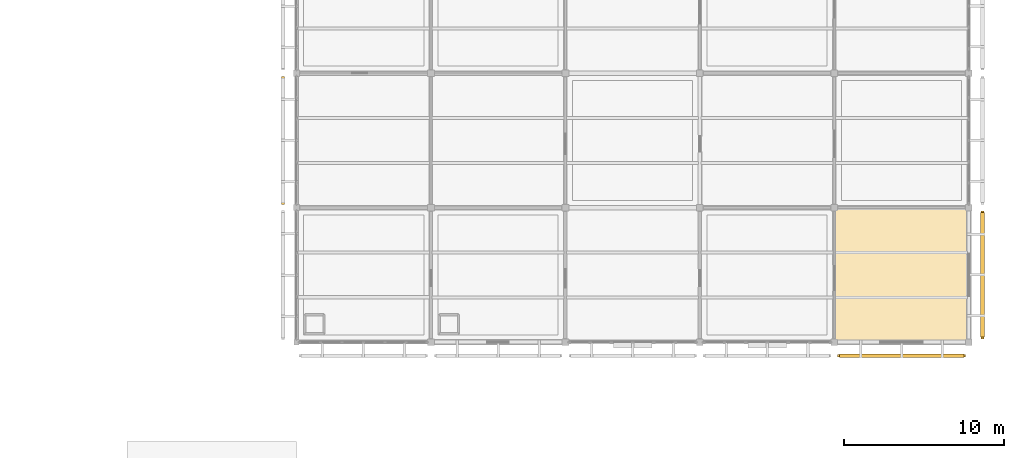
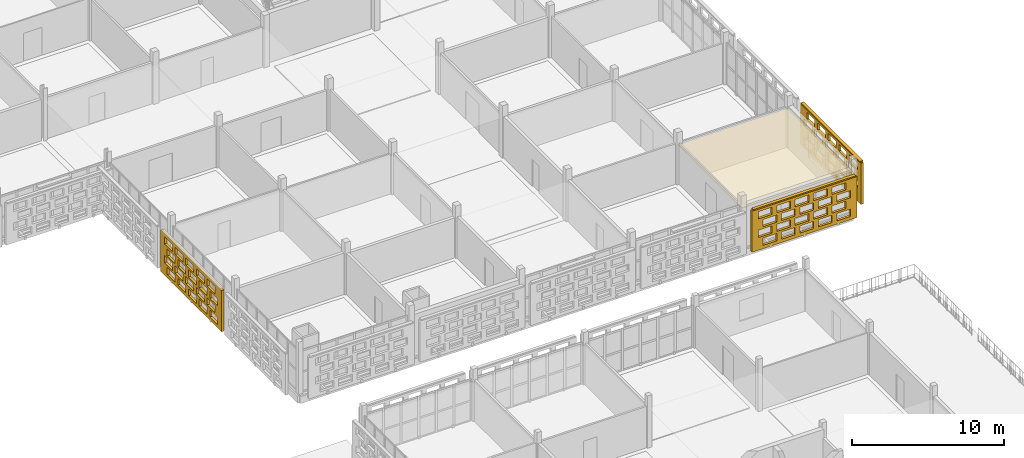
# One storey, part 159 of 166: 4 coverings, 2 shading devices, 60 openings.
"""IFC4 building model written with IfcOpenShell, lengths in metres."""

from ifc_helpers import new_model, si_unit, direction, frame, frame_2d, origin, origin_2d, place, context, subcontext, project, spatial, rectangle, extrude, material, layer, layer_set, type_object, element, save


model = new_model("IFC4")

# Units and contexts
model_context = context("Model", 3, precision=1e-05, world=origin(), true_north=direction((0.0, 1.0)))
body_context = subcontext(model_context, "Body", "Model", "MODEL_VIEW")
ifc_project = project(units=[si_unit("LENGTHUNIT", "METRE"), si_unit("AREAUNIT", "SQUARE_METRE"), si_unit("VOLUMEUNIT", "CUBIC_METRE"), si_unit("PLANEANGLEUNIT", "RADIAN"), si_unit("MASSUNIT", "GRAM", prefix="KILO")], contexts=[model_context])

# Site, building, storey
site_placement = place(None, origin())
site = spatial("IfcSite", under=ifc_project, at=site_placement, CompositionType="ELEMENT")
building_placement = place(site_placement, origin())
building = spatial("IfcBuilding", under=site, at=building_placement, Name="Varnapada Polytechnic", CompositionType="ELEMENT")
storey_placement = place(building_placement, frame((0.0, 0.0, 9.60009765625)))
storey = spatial("IfcBuildingStorey", under=building, at=storey_placement, Name="L02", CompositionType="ELEMENT", Elevation=9.60009765625)

# Covering
ifc_material_1 = material(Name="Micro-Perforated Gypsum Acoustic Ceiling")
ifc_layer_1 = layer(ifc_material_1, 0.044921875)
ifc_layer_set_1 = layer_set([ifc_layer_1], Name="Micro-Perforated Gypsum Acoustic Ceiling")
covering_type_1 = type_object("IfcCoveringType", Name="Suspended Ceiling CLG-04", PredefinedType="CEILING", material=ifc_layer_set_1)
covering_1_placement = place(storey_placement, frame((172.199951171875, 63.0, 3.02734375), z_axis=(0.0, 0.0, 1.0), x_axis=(1.0, 0.0, 0.0)))
element("IfcCovering", 1, at=covering_1_placement, inside=storey, type_object=covering_type_1, Name="L02 suspended acoustic ceiling (21,8)", PredefinedType="CEILING", context=body_context, shape_type="SweptSolid", body=[
    extrude(rectangle(XDim=8.419921875, YDim=8.419921875, at=origin_2d()), origin(), (0.0, 0.0, 1.0), 0.044921875),
])

# Covering, openings
ifc_material_2 = material(Name="Earth-toned architectural terracotta screen block", Category="masonry")
ifc_layer_2 = layer(ifc_material_2, 0.1201171875)
ifc_layer_set_2 = layer_set([ifc_layer_2], Name="Earth-toned architectural terracotta screen block")
covering_type_2 = type_object("IfcCoveringType", Name="Terracotta Screen Cladding CLD-01", PredefinedType="CLADDING", material=ifc_layer_set_2)
covering_2_placement = place(storey_placement, frame((133.550048828125, 67.389892578125, 0.0), z_axis=(0.0, 0.0, 1.0), x_axis=(0.0, 1.0, 0.0)))
covering_2 = element("IfcCovering", 2, at=covering_2_placement, inside=storey, type_object=covering_type_2, Name="L02 perforated terracotta block screen (88)", PredefinedType="CLADDING", context=body_context, shape_type="SweptSolid", body=[
    extrude(rectangle(XDim=8.02001953125, YDim=0.179931640625, at=frame_2d((4.010009765625, 0.0))), origin(), (0.0, 0.0, 1.0), 3.31982421875),
])
opening_1_placement = place(covering_2_placement, frame((0.510009765625, 0.0, 0.265625)))
element("IfcOpeningElement", 3, at=opening_1_placement, cuts=covering_2, Name="Screen perforation TBS-L02-087.1", PredefinedType="OPENING", context=body_context, shape_type="SweptSolid", body=[
    extrude(rectangle(XDim=1.0400390625, YDim=0.5810546875, at=frame_2d((0.52001953125, 0.29052734375))), frame((0.0, 0.099853515625, 0.0), z_axis=(0.0, -1.0, 0.0), x_axis=(1.0, 0.0, 0.0)), (0.0, 0.0, 1.0), 0.199951171875),
])
opening_2_placement = place(covering_2_placement, frame((1.909912109375, 0.0, 0.265625)))
element("IfcOpeningElement", 4, at=opening_2_placement, cuts=covering_2, Name="Screen perforation TBS-L02-087.2", PredefinedType="OPENING", context=body_context, shape_type="SweptSolid", body=[
    extrude(rectangle(XDim=1.0400390625, YDim=0.5810546875, at=frame_2d((0.52001953125, 0.29052734375))), frame((0.0, 0.099853515625, 0.0), z_axis=(0.0, -1.0, 0.0), x_axis=(1.0, 0.0, 0.0)), (0.0, 0.0, 1.0), 0.199951171875),
])
opening_3_placement = place(covering_2_placement, frame((3.31005859375, 0.0, 0.265625)))
element("IfcOpeningElement", 5, at=opening_3_placement, cuts=covering_2, Name="Screen perforation TBS-L02-087.3", PredefinedType="OPENING", context=body_context, shape_type="SweptSolid", body=[
    extrude(rectangle(XDim=1.0400390625, YDim=0.5810546875, at=frame_2d((0.52001953125, 0.29052734375))), frame((0.0, 0.099853515625, 0.0), z_axis=(0.0, -1.0, 0.0), x_axis=(1.0, 0.0, 0.0)), (0.0, 0.0, 1.0), 0.199951171875),
])
opening_4_placement = place(covering_2_placement, frame((4.7099609375, 0.0, 0.265625)))
element("IfcOpeningElement", 6, at=opening_4_placement, cuts=covering_2, Name="Screen perforation TBS-L02-087.4", PredefinedType="OPENING", context=body_context, shape_type="SweptSolid", body=[
    extrude(rectangle(XDim=1.0400390625, YDim=0.5810546875, at=frame_2d((0.52001953125, 0.29052734375))), frame((0.0, 0.099853515625, 0.0), z_axis=(0.0, -1.0, 0.0), x_axis=(1.0, 0.0, 0.0)), (0.0, 0.0, 1.0), 0.199951171875),
])
opening_5_placement = place(covering_2_placement, frame((6.110107421875, 0.0, 0.265625)))
element("IfcOpeningElement", 7, at=opening_5_placement, cuts=covering_2, Name="Screen perforation TBS-L02-087.5", PredefinedType="OPENING", context=body_context, shape_type="SweptSolid", body=[
    extrude(rectangle(XDim=1.0400390625, YDim=0.5810546875, at=frame_2d((0.52001953125, 0.29052734375))), frame((0.0, 0.099853515625, 0.0), z_axis=(0.0, -1.0, 0.0), x_axis=(1.0, 0.0, 0.0)), (0.0, 0.0, 1.0), 0.199951171875),
])
opening_6_placement = place(covering_2_placement, frame((0.8701171875, 0.0, 1.0126953125)))
element("IfcOpeningElement", 8, at=opening_6_placement, cuts=covering_2, Name="Screen perforation TBS-L02-087.6", PredefinedType="OPENING", context=body_context, shape_type="SweptSolid", body=[
    extrude(rectangle(XDim=1.0400390625, YDim=0.5810546875, at=frame_2d((0.52001953125, 0.29052734375))), frame((0.0, 0.099853515625, 0.0), z_axis=(0.0, -1.0, 0.0), x_axis=(1.0, 0.0, 0.0)), (0.0, 0.0, 1.0), 0.199951171875),
])
opening_7_placement = place(covering_2_placement, frame((2.27001953125, 0.0, 1.0126953125)))
element("IfcOpeningElement", 9, at=opening_7_placement, cuts=covering_2, Name="Screen perforation TBS-L02-087.7", PredefinedType="OPENING", context=body_context, shape_type="SweptSolid", body=[
    extrude(rectangle(XDim=1.0400390625, YDim=0.5810546875, at=frame_2d((0.52001953125, 0.29052734375))), frame((0.0, 0.099853515625, 0.0), z_axis=(0.0, -1.0, 0.0), x_axis=(1.0, 0.0, 0.0)), (0.0, 0.0, 1.0), 0.199951171875),
])
opening_8_placement = place(covering_2_placement, frame((3.669921875, 0.0, 1.0126953125)))
element("IfcOpeningElement", 10, at=opening_8_placement, cuts=covering_2, Name="Screen perforation TBS-L02-087.8", PredefinedType="OPENING", context=body_context, shape_type="SweptSolid", body=[
    extrude(rectangle(XDim=1.0400390625, YDim=0.5810546875, at=frame_2d((0.52001953125, 0.29052734375))), frame((0.0, 0.099853515625, 0.0), z_axis=(0.0, -1.0, 0.0), x_axis=(1.0, 0.0, 0.0)), (0.0, 0.0, 1.0), 0.199951171875),
])
opening_9_placement = place(covering_2_placement, frame((5.070068359375, 0.0, 1.0126953125)))
element("IfcOpeningElement", 11, at=opening_9_placement, cuts=covering_2, Name="Screen perforation TBS-L02-087.9", PredefinedType="OPENING", context=body_context, shape_type="SweptSolid", body=[
    extrude(rectangle(XDim=1.0400390625, YDim=0.5810546875, at=frame_2d((0.52001953125, 0.29052734375))), frame((0.0, 0.099853515625, 0.0), z_axis=(0.0, -1.0, 0.0), x_axis=(1.0, 0.0, 0.0)), (0.0, 0.0, 1.0), 0.199951171875),
])
opening_10_placement = place(covering_2_placement, frame((6.469970703125, 0.0, 1.0126953125)))
element("IfcOpeningElement", 12, at=opening_10_placement, cuts=covering_2, Name="Screen perforation TBS-L02-087.10", PredefinedType="OPENING", context=body_context, shape_type="SweptSolid", body=[
    extrude(rectangle(XDim=1.0400390625, YDim=0.5810546875, at=frame_2d((0.52001953125, 0.29052734375))), frame((0.0, 0.099853515625, 0.0), z_axis=(0.0, -1.0, 0.0), x_axis=(1.0, 0.0, 0.0)), (0.0, 0.0, 1.0), 0.199951171875),
])
opening_11_placement = place(covering_2_placement, frame((0.510009765625, 0.0, 1.759521484375)))
element("IfcOpeningElement", 13, at=opening_11_placement, cuts=covering_2, Name="Screen perforation TBS-L02-087.11", PredefinedType="OPENING", context=body_context, shape_type="SweptSolid", body=[
    extrude(rectangle(XDim=1.0400390625, YDim=0.5810546875, at=frame_2d((0.52001953125, 0.29052734375))), frame((0.0, 0.099853515625, 0.0), z_axis=(0.0, -1.0, 0.0), x_axis=(1.0, 0.0, 0.0)), (0.0, 0.0, 1.0), 0.199951171875),
])
opening_12_placement = place(covering_2_placement, frame((1.909912109375, 0.0, 1.759521484375)))
element("IfcOpeningElement", 14, at=opening_12_placement, cuts=covering_2, Name="Screen perforation TBS-L02-087.12", PredefinedType="OPENING", context=body_context, shape_type="SweptSolid", body=[
    extrude(rectangle(XDim=1.0400390625, YDim=0.5810546875, at=frame_2d((0.52001953125, 0.29052734375))), frame((0.0, 0.099853515625, 0.0), z_axis=(0.0, -1.0, 0.0), x_axis=(1.0, 0.0, 0.0)), (0.0, 0.0, 1.0), 0.199951171875),
])
opening_13_placement = place(covering_2_placement, frame((3.31005859375, 0.0, 1.759521484375)))
element("IfcOpeningElement", 15, at=opening_13_placement, cuts=covering_2, Name="Screen perforation TBS-L02-087.13", PredefinedType="OPENING", context=body_context, shape_type="SweptSolid", body=[
    extrude(rectangle(XDim=1.0400390625, YDim=0.5810546875, at=frame_2d((0.52001953125, 0.29052734375))), frame((0.0, 0.099853515625, 0.0), z_axis=(0.0, -1.0, 0.0), x_axis=(1.0, 0.0, 0.0)), (0.0, 0.0, 1.0), 0.199951171875),
])
opening_14_placement = place(covering_2_placement, frame((4.7099609375, 0.0, 1.759521484375)))
element("IfcOpeningElement", 16, at=opening_14_placement, cuts=covering_2, Name="Screen perforation TBS-L02-087.14", PredefinedType="OPENING", context=body_context, shape_type="SweptSolid", body=[
    extrude(rectangle(XDim=1.0400390625, YDim=0.5810546875, at=frame_2d((0.52001953125, 0.29052734375))), frame((0.0, 0.099853515625, 0.0), z_axis=(0.0, -1.0, 0.0), x_axis=(1.0, 0.0, 0.0)), (0.0, 0.0, 1.0), 0.199951171875),
])
opening_15_placement = place(covering_2_placement, frame((6.110107421875, 0.0, 1.759521484375)))
element("IfcOpeningElement", 17, at=opening_15_placement, cuts=covering_2, Name="Screen perforation TBS-L02-087.15", PredefinedType="OPENING", context=body_context, shape_type="SweptSolid", body=[
    extrude(rectangle(XDim=1.0400390625, YDim=0.5810546875, at=frame_2d((0.52001953125, 0.29052734375))), frame((0.0, 0.099853515625, 0.0), z_axis=(0.0, -1.0, 0.0), x_axis=(1.0, 0.0, 0.0)), (0.0, 0.0, 1.0), 0.199951171875),
])
opening_16_placement = place(covering_2_placement, frame((0.8701171875, 0.0, 2.506591796875)))
element("IfcOpeningElement", 18, at=opening_16_placement, cuts=covering_2, Name="Screen perforation TBS-L02-087.16", PredefinedType="OPENING", context=body_context, shape_type="SweptSolid", body=[
    extrude(rectangle(XDim=1.0400390625, YDim=0.5810546875, at=frame_2d((0.52001953125, 0.29052734375))), frame((0.0, 0.099853515625, 0.0), z_axis=(0.0, -1.0, 0.0), x_axis=(1.0, 0.0, 0.0)), (0.0, 0.0, 1.0), 0.199951171875),
])
opening_17_placement = place(covering_2_placement, frame((2.27001953125, 0.0, 2.506591796875)))
element("IfcOpeningElement", 19, at=opening_17_placement, cuts=covering_2, Name="Screen perforation TBS-L02-087.17", PredefinedType="OPENING", context=body_context, shape_type="SweptSolid", body=[
    extrude(rectangle(XDim=1.0400390625, YDim=0.5810546875, at=frame_2d((0.52001953125, 0.29052734375))), frame((0.0, 0.099853515625, 0.0), z_axis=(0.0, -1.0, 0.0), x_axis=(1.0, 0.0, 0.0)), (0.0, 0.0, 1.0), 0.199951171875),
])
opening_18_placement = place(covering_2_placement, frame((3.669921875, 0.0, 2.506591796875)))
element("IfcOpeningElement", 20, at=opening_18_placement, cuts=covering_2, Name="Screen perforation TBS-L02-087.18", PredefinedType="OPENING", context=body_context, shape_type="SweptSolid", body=[
    extrude(rectangle(XDim=1.0400390625, YDim=0.5810546875, at=frame_2d((0.52001953125, 0.29052734375))), frame((0.0, 0.099853515625, 0.0), z_axis=(0.0, -1.0, 0.0), x_axis=(1.0, 0.0, 0.0)), (0.0, 0.0, 1.0), 0.199951171875),
])
opening_19_placement = place(covering_2_placement, frame((5.070068359375, 0.0, 2.506591796875)))
element("IfcOpeningElement", 21, at=opening_19_placement, cuts=covering_2, Name="Screen perforation TBS-L02-087.19", PredefinedType="OPENING", context=body_context, shape_type="SweptSolid", body=[
    extrude(rectangle(XDim=1.0400390625, YDim=0.5810546875, at=frame_2d((0.52001953125, 0.29052734375))), frame((0.0, 0.099853515625, 0.0), z_axis=(0.0, -1.0, 0.0), x_axis=(1.0, 0.0, 0.0)), (0.0, 0.0, 1.0), 0.199951171875),
])
opening_20_placement = place(covering_2_placement, frame((6.469970703125, 0.0, 2.506591796875)))
element("IfcOpeningElement", 22, at=opening_20_placement, cuts=covering_2, Name="Screen perforation TBS-L02-087.20", PredefinedType="OPENING", context=body_context, shape_type="SweptSolid", body=[
    extrude(rectangle(XDim=1.0400390625, YDim=0.5810546875, at=frame_2d((0.52001953125, 0.29052734375))), frame((0.0, 0.099853515625, 0.0), z_axis=(0.0, -1.0, 0.0), x_axis=(1.0, 0.0, 0.0)), (0.0, 0.0, 1.0), 0.199951171875),
])

covering_3_placement = place(storey_placement, frame((176.18994140625, 57.949951171875, 0.0), z_axis=(0.0, 0.0, 1.0), x_axis=(-1.0, 0.0, 0.0)))
covering_3 = element("IfcCovering", 23, at=covering_3_placement, inside=storey, type_object=covering_type_2, Name="L02 perforated terracotta block screen (108)", PredefinedType="CLADDING", context=body_context, shape_type="SweptSolid", body=[
    extrude(rectangle(XDim=7.97998046875, YDim=0.179931640625, at=frame_2d((3.989990234375, 0.0))), origin(), (0.0, 0.0, 1.0), 3.31982421875),
])
opening_21_placement = place(covering_3_placement, frame((0.489990234375, 0.0, 0.265625)))
element("IfcOpeningElement", 24, at=opening_21_placement, cuts=covering_3, Name="Screen perforation TBS-L02-107.1", PredefinedType="OPENING", context=body_context, shape_type="SweptSolid", body=[
    extrude(rectangle(XDim=1.0400390625, YDim=0.5810546875, at=frame_2d((0.52001953125, 0.29052734375))), frame((0.0, 0.099853515625, 0.0), z_axis=(0.0, -1.0, 0.0), x_axis=(1.0, 0.0, 0.0)), (0.0, 0.0, 1.0), 0.199951171875),
])
opening_22_placement = place(covering_3_placement, frame((1.889892578125, 0.0, 0.265625)))
element("IfcOpeningElement", 25, at=opening_22_placement, cuts=covering_3, Name="Screen perforation TBS-L02-107.2", PredefinedType="OPENING", context=body_context, shape_type="SweptSolid", body=[
    extrude(rectangle(XDim=1.0400390625, YDim=0.5810546875, at=frame_2d((0.52001953125, 0.29052734375))), frame((0.0, 0.099853515625, 0.0), z_axis=(0.0, -1.0, 0.0), x_axis=(1.0, 0.0, 0.0)), (0.0, 0.0, 1.0), 0.199951171875),
])
opening_23_placement = place(covering_3_placement, frame((3.2900390625, 0.0, 0.265625)))
element("IfcOpeningElement", 26, at=opening_23_placement, cuts=covering_3, Name="Screen perforation TBS-L02-107.3", PredefinedType="OPENING", context=body_context, shape_type="SweptSolid", body=[
    extrude(rectangle(XDim=1.0400390625, YDim=0.5810546875, at=frame_2d((0.52001953125, 0.29052734375))), frame((0.0, 0.099853515625, 0.0), z_axis=(0.0, -1.0, 0.0), x_axis=(1.0, 0.0, 0.0)), (0.0, 0.0, 1.0), 0.199951171875),
])
opening_24_placement = place(covering_3_placement, frame((4.68994140625, 0.0, 0.265625)))
element("IfcOpeningElement", 27, at=opening_24_placement, cuts=covering_3, Name="Screen perforation TBS-L02-107.4", PredefinedType="OPENING", context=body_context, shape_type="SweptSolid", body=[
    extrude(rectangle(XDim=1.0400390625, YDim=0.5810546875, at=frame_2d((0.52001953125, 0.29052734375))), frame((0.0, 0.099853515625, 0.0), z_axis=(0.0, -1.0, 0.0), x_axis=(1.0, 0.0, 0.0)), (0.0, 0.0, 1.0), 0.199951171875),
])
opening_25_placement = place(covering_3_placement, frame((6.090087890625, 0.0, 0.265625)))
element("IfcOpeningElement", 28, at=opening_25_placement, cuts=covering_3, Name="Screen perforation TBS-L02-107.5", PredefinedType="OPENING", context=body_context, shape_type="SweptSolid", body=[
    extrude(rectangle(XDim=1.0400390625, YDim=0.5810546875, at=frame_2d((0.52001953125, 0.29052734375))), frame((0.0, 0.099853515625, 0.0), z_axis=(0.0, -1.0, 0.0), x_axis=(1.0, 0.0, 0.0)), (0.0, 0.0, 1.0), 0.199951171875),
])
opening_26_placement = place(covering_3_placement, frame((0.85009765625, 0.0, 1.0126953125)))
element("IfcOpeningElement", 29, at=opening_26_placement, cuts=covering_3, Name="Screen perforation TBS-L02-107.6", PredefinedType="OPENING", context=body_context, shape_type="SweptSolid", body=[
    extrude(rectangle(XDim=1.0400390625, YDim=0.5810546875, at=frame_2d((0.52001953125, 0.29052734375))), frame((0.0, 0.099853515625, 0.0), z_axis=(0.0, -1.0, 0.0), x_axis=(1.0, 0.0, 0.0)), (0.0, 0.0, 1.0), 0.199951171875),
])
opening_27_placement = place(covering_3_placement, frame((2.25, 0.0, 1.0126953125)))
element("IfcOpeningElement", 30, at=opening_27_placement, cuts=covering_3, Name="Screen perforation TBS-L02-107.7", PredefinedType="OPENING", context=body_context, shape_type="SweptSolid", body=[
    extrude(rectangle(XDim=1.0400390625, YDim=0.5810546875, at=frame_2d((0.52001953125, 0.29052734375))), frame((0.0, 0.099853515625, 0.0), z_axis=(0.0, -1.0, 0.0), x_axis=(1.0, 0.0, 0.0)), (0.0, 0.0, 1.0), 0.199951171875),
])
opening_28_placement = place(covering_3_placement, frame((3.64990234375, 0.0, 1.0126953125)))
element("IfcOpeningElement", 31, at=opening_28_placement, cuts=covering_3, Name="Screen perforation TBS-L02-107.8", PredefinedType="OPENING", context=body_context, shape_type="SweptSolid", body=[
    extrude(rectangle(XDim=1.0400390625, YDim=0.5810546875, at=frame_2d((0.52001953125, 0.29052734375))), frame((0.0, 0.099853515625, 0.0), z_axis=(0.0, -1.0, 0.0), x_axis=(1.0, 0.0, 0.0)), (0.0, 0.0, 1.0), 0.199951171875),
])
opening_29_placement = place(covering_3_placement, frame((5.050048828125, 0.0, 1.0126953125)))
element("IfcOpeningElement", 32, at=opening_29_placement, cuts=covering_3, Name="Screen perforation TBS-L02-107.9", PredefinedType="OPENING", context=body_context, shape_type="SweptSolid", body=[
    extrude(rectangle(XDim=1.0400390625, YDim=0.5810546875, at=frame_2d((0.52001953125, 0.29052734375))), frame((0.0, 0.099853515625, 0.0), z_axis=(0.0, -1.0, 0.0), x_axis=(1.0, 0.0, 0.0)), (0.0, 0.0, 1.0), 0.199951171875),
])
opening_30_placement = place(covering_3_placement, frame((6.449951171875, 0.0, 1.0126953125)))
element("IfcOpeningElement", 33, at=opening_30_placement, cuts=covering_3, Name="Screen perforation TBS-L02-107.10", PredefinedType="OPENING", context=body_context, shape_type="SweptSolid", body=[
    extrude(rectangle(XDim=1.0400390625, YDim=0.5810546875, at=frame_2d((0.52001953125, 0.29052734375))), frame((0.0, 0.099853515625, 0.0), z_axis=(0.0, -1.0, 0.0), x_axis=(1.0, 0.0, 0.0)), (0.0, 0.0, 1.0), 0.199951171875),
])
opening_31_placement = place(covering_3_placement, frame((0.489990234375, 0.0, 1.759521484375)))
element("IfcOpeningElement", 34, at=opening_31_placement, cuts=covering_3, Name="Screen perforation TBS-L02-107.11", PredefinedType="OPENING", context=body_context, shape_type="SweptSolid", body=[
    extrude(rectangle(XDim=1.0400390625, YDim=0.5810546875, at=frame_2d((0.52001953125, 0.29052734375))), frame((0.0, 0.099853515625, 0.0), z_axis=(0.0, -1.0, 0.0), x_axis=(1.0, 0.0, 0.0)), (0.0, 0.0, 1.0), 0.199951171875),
])
opening_32_placement = place(covering_3_placement, frame((1.889892578125, 0.0, 1.759521484375)))
element("IfcOpeningElement", 35, at=opening_32_placement, cuts=covering_3, Name="Screen perforation TBS-L02-107.12", PredefinedType="OPENING", context=body_context, shape_type="SweptSolid", body=[
    extrude(rectangle(XDim=1.0400390625, YDim=0.5810546875, at=frame_2d((0.52001953125, 0.29052734375))), frame((0.0, 0.099853515625, 0.0), z_axis=(0.0, -1.0, 0.0), x_axis=(1.0, 0.0, 0.0)), (0.0, 0.0, 1.0), 0.199951171875),
])
opening_33_placement = place(covering_3_placement, frame((3.2900390625, 0.0, 1.759521484375)))
element("IfcOpeningElement", 36, at=opening_33_placement, cuts=covering_3, Name="Screen perforation TBS-L02-107.13", PredefinedType="OPENING", context=body_context, shape_type="SweptSolid", body=[
    extrude(rectangle(XDim=1.0400390625, YDim=0.5810546875, at=frame_2d((0.52001953125, 0.29052734375))), frame((0.0, 0.099853515625, 0.0), z_axis=(0.0, -1.0, 0.0), x_axis=(1.0, 0.0, 0.0)), (0.0, 0.0, 1.0), 0.199951171875),
])
opening_34_placement = place(covering_3_placement, frame((4.68994140625, 0.0, 1.759521484375)))
element("IfcOpeningElement", 37, at=opening_34_placement, cuts=covering_3, Name="Screen perforation TBS-L02-107.14", PredefinedType="OPENING", context=body_context, shape_type="SweptSolid", body=[
    extrude(rectangle(XDim=1.0400390625, YDim=0.5810546875, at=frame_2d((0.52001953125, 0.29052734375))), frame((0.0, 0.099853515625, 0.0), z_axis=(0.0, -1.0, 0.0), x_axis=(1.0, 0.0, 0.0)), (0.0, 0.0, 1.0), 0.199951171875),
])
opening_35_placement = place(covering_3_placement, frame((6.090087890625, 0.0, 1.759521484375)))
element("IfcOpeningElement", 38, at=opening_35_placement, cuts=covering_3, Name="Screen perforation TBS-L02-107.15", PredefinedType="OPENING", context=body_context, shape_type="SweptSolid", body=[
    extrude(rectangle(XDim=1.0400390625, YDim=0.5810546875, at=frame_2d((0.52001953125, 0.29052734375))), frame((0.0, 0.099853515625, 0.0), z_axis=(0.0, -1.0, 0.0), x_axis=(1.0, 0.0, 0.0)), (0.0, 0.0, 1.0), 0.199951171875),
])
opening_36_placement = place(covering_3_placement, frame((0.85009765625, 0.0, 2.506591796875)))
element("IfcOpeningElement", 39, at=opening_36_placement, cuts=covering_3, Name="Screen perforation TBS-L02-107.16", PredefinedType="OPENING", context=body_context, shape_type="SweptSolid", body=[
    extrude(rectangle(XDim=1.0400390625, YDim=0.5810546875, at=frame_2d((0.52001953125, 0.29052734375))), frame((0.0, 0.099853515625, 0.0), z_axis=(0.0, -1.0, 0.0), x_axis=(1.0, 0.0, 0.0)), (0.0, 0.0, 1.0), 0.199951171875),
])
opening_37_placement = place(covering_3_placement, frame((2.25, 0.0, 2.506591796875)))
element("IfcOpeningElement", 40, at=opening_37_placement, cuts=covering_3, Name="Screen perforation TBS-L02-107.17", PredefinedType="OPENING", context=body_context, shape_type="SweptSolid", body=[
    extrude(rectangle(XDim=1.0400390625, YDim=0.5810546875, at=frame_2d((0.52001953125, 0.29052734375))), frame((0.0, 0.099853515625, 0.0), z_axis=(0.0, -1.0, 0.0), x_axis=(1.0, 0.0, 0.0)), (0.0, 0.0, 1.0), 0.199951171875),
])
opening_38_placement = place(covering_3_placement, frame((3.64990234375, 0.0, 2.506591796875)))
element("IfcOpeningElement", 41, at=opening_38_placement, cuts=covering_3, Name="Screen perforation TBS-L02-107.18", PredefinedType="OPENING", context=body_context, shape_type="SweptSolid", body=[
    extrude(rectangle(XDim=1.0400390625, YDim=0.5810546875, at=frame_2d((0.52001953125, 0.29052734375))), frame((0.0, 0.099853515625, 0.0), z_axis=(0.0, -1.0, 0.0), x_axis=(1.0, 0.0, 0.0)), (0.0, 0.0, 1.0), 0.199951171875),
])
opening_39_placement = place(covering_3_placement, frame((5.050048828125, 0.0, 2.506591796875)))
element("IfcOpeningElement", 42, at=opening_39_placement, cuts=covering_3, Name="Screen perforation TBS-L02-107.19", PredefinedType="OPENING", context=body_context, shape_type="SweptSolid", body=[
    extrude(rectangle(XDim=1.0400390625, YDim=0.5810546875, at=frame_2d((0.52001953125, 0.29052734375))), frame((0.0, 0.099853515625, 0.0), z_axis=(0.0, -1.0, 0.0), x_axis=(1.0, 0.0, 0.0)), (0.0, 0.0, 1.0), 0.199951171875),
])
opening_40_placement = place(covering_3_placement, frame((6.449951171875, 0.0, 2.506591796875)))
element("IfcOpeningElement", 43, at=opening_40_placement, cuts=covering_3, Name="Screen perforation TBS-L02-107.20", PredefinedType="OPENING", context=body_context, shape_type="SweptSolid", body=[
    extrude(rectangle(XDim=1.0400390625, YDim=0.5810546875, at=frame_2d((0.52001953125, 0.29052734375))), frame((0.0, 0.099853515625, 0.0), z_axis=(0.0, -1.0, 0.0), x_axis=(1.0, 0.0, 0.0)), (0.0, 0.0, 1.0), 0.199951171875),
])

covering_4_placement = place(storey_placement, frame((177.25, 66.989990234375, 0.0), z_axis=(0.0, 0.0, 1.0), x_axis=(0.0, -1.0, 0.0)))
covering_4 = element("IfcCovering", 44, at=covering_4_placement, inside=storey, type_object=covering_type_2, Name="L02 perforated terracotta block screen (109)", PredefinedType="CLADDING", context=body_context, shape_type="SweptSolid", body=[
    extrude(rectangle(XDim=7.97998046875, YDim=0.179931640625, at=frame_2d((3.989990234375, 0.0))), origin(), (0.0, 0.0, 1.0), 3.31982421875),
])
opening_41_placement = place(covering_4_placement, frame((0.489990234375, 0.0, 0.265625)))
element("IfcOpeningElement", 45, at=opening_41_placement, cuts=covering_4, Name="Screen perforation TBS-L02-108.1", PredefinedType="OPENING", context=body_context, shape_type="SweptSolid", body=[
    extrude(rectangle(XDim=1.0400390625, YDim=0.5810546875, at=frame_2d((0.52001953125, 0.29052734375))), frame((0.0, 0.099853515625, 0.0), z_axis=(0.0, -1.0, 0.0), x_axis=(1.0, 0.0, 0.0)), (0.0, 0.0, 1.0), 0.199951171875),
])
opening_42_placement = place(covering_4_placement, frame((1.889892578125, 0.0, 0.265625)))
element("IfcOpeningElement", 46, at=opening_42_placement, cuts=covering_4, Name="Screen perforation TBS-L02-108.2", PredefinedType="OPENING", context=body_context, shape_type="SweptSolid", body=[
    extrude(rectangle(XDim=1.0400390625, YDim=0.5810546875, at=frame_2d((0.52001953125, 0.29052734375))), frame((0.0, 0.099853515625, 0.0), z_axis=(0.0, -1.0, 0.0), x_axis=(1.0, 0.0, 0.0)), (0.0, 0.0, 1.0), 0.199951171875),
])
opening_43_placement = place(covering_4_placement, frame((3.2900390625, 0.0, 0.265625)))
element("IfcOpeningElement", 47, at=opening_43_placement, cuts=covering_4, Name="Screen perforation TBS-L02-108.3", PredefinedType="OPENING", context=body_context, shape_type="SweptSolid", body=[
    extrude(rectangle(XDim=1.0400390625, YDim=0.5810546875, at=frame_2d((0.52001953125, 0.29052734375))), frame((0.0, 0.099853515625, 0.0), z_axis=(0.0, -1.0, 0.0), x_axis=(1.0, 0.0, 0.0)), (0.0, 0.0, 1.0), 0.199951171875),
])
opening_44_placement = place(covering_4_placement, frame((4.68994140625, 0.0, 0.265625)))
element("IfcOpeningElement", 48, at=opening_44_placement, cuts=covering_4, Name="Screen perforation TBS-L02-108.4", PredefinedType="OPENING", context=body_context, shape_type="SweptSolid", body=[
    extrude(rectangle(XDim=1.0400390625, YDim=0.5810546875, at=frame_2d((0.52001953125, 0.29052734375))), frame((0.0, 0.099853515625, 0.0), z_axis=(0.0, -1.0, 0.0), x_axis=(1.0, 0.0, 0.0)), (0.0, 0.0, 1.0), 0.199951171875),
])
opening_45_placement = place(covering_4_placement, frame((6.090087890625, 0.0, 0.265625)))
element("IfcOpeningElement", 49, at=opening_45_placement, cuts=covering_4, Name="Screen perforation TBS-L02-108.5", PredefinedType="OPENING", context=body_context, shape_type="SweptSolid", body=[
    extrude(rectangle(XDim=1.0400390625, YDim=0.5810546875, at=frame_2d((0.52001953125, 0.29052734375))), frame((0.0, 0.099853515625, 0.0), z_axis=(0.0, -1.0, 0.0), x_axis=(1.0, 0.0, 0.0)), (0.0, 0.0, 1.0), 0.199951171875),
])
opening_46_placement = place(covering_4_placement, frame((0.85009765625, 0.0, 1.0126953125)))
element("IfcOpeningElement", 50, at=opening_46_placement, cuts=covering_4, Name="Screen perforation TBS-L02-108.6", PredefinedType="OPENING", context=body_context, shape_type="SweptSolid", body=[
    extrude(rectangle(XDim=1.0400390625, YDim=0.5810546875, at=frame_2d((0.52001953125, 0.29052734375))), frame((0.0, 0.099853515625, 0.0), z_axis=(0.0, -1.0, 0.0), x_axis=(1.0, 0.0, 0.0)), (0.0, 0.0, 1.0), 0.199951171875),
])
opening_47_placement = place(covering_4_placement, frame((2.25, 0.0, 1.0126953125)))
element("IfcOpeningElement", 51, at=opening_47_placement, cuts=covering_4, Name="Screen perforation TBS-L02-108.7", PredefinedType="OPENING", context=body_context, shape_type="SweptSolid", body=[
    extrude(rectangle(XDim=1.0400390625, YDim=0.5810546875, at=frame_2d((0.52001953125, 0.29052734375))), frame((0.0, 0.099853515625, 0.0), z_axis=(0.0, -1.0, 0.0), x_axis=(1.0, 0.0, 0.0)), (0.0, 0.0, 1.0), 0.199951171875),
])
opening_48_placement = place(covering_4_placement, frame((3.64990234375, 0.0, 1.0126953125)))
element("IfcOpeningElement", 52, at=opening_48_placement, cuts=covering_4, Name="Screen perforation TBS-L02-108.8", PredefinedType="OPENING", context=body_context, shape_type="SweptSolid", body=[
    extrude(rectangle(XDim=1.0400390625, YDim=0.5810546875, at=frame_2d((0.52001953125, 0.29052734375))), frame((0.0, 0.099853515625, 0.0), z_axis=(0.0, -1.0, 0.0), x_axis=(1.0, 0.0, 0.0)), (0.0, 0.0, 1.0), 0.199951171875),
])
opening_49_placement = place(covering_4_placement, frame((5.050048828125, 0.0, 1.0126953125)))
element("IfcOpeningElement", 53, at=opening_49_placement, cuts=covering_4, Name="Screen perforation TBS-L02-108.9", PredefinedType="OPENING", context=body_context, shape_type="SweptSolid", body=[
    extrude(rectangle(XDim=1.0400390625, YDim=0.5810546875, at=frame_2d((0.52001953125, 0.29052734375))), frame((0.0, 0.099853515625, 0.0), z_axis=(0.0, -1.0, 0.0), x_axis=(1.0, 0.0, 0.0)), (0.0, 0.0, 1.0), 0.199951171875),
])
opening_50_placement = place(covering_4_placement, frame((6.449951171875, 0.0, 1.0126953125)))
element("IfcOpeningElement", 54, at=opening_50_placement, cuts=covering_4, Name="Screen perforation TBS-L02-108.10", PredefinedType="OPENING", context=body_context, shape_type="SweptSolid", body=[
    extrude(rectangle(XDim=1.0400390625, YDim=0.5810546875, at=frame_2d((0.52001953125, 0.29052734375))), frame((0.0, 0.099853515625, 0.0), z_axis=(0.0, -1.0, 0.0), x_axis=(1.0, 0.0, 0.0)), (0.0, 0.0, 1.0), 0.199951171875),
])
opening_51_placement = place(covering_4_placement, frame((0.489990234375, 0.0, 1.759521484375)))
element("IfcOpeningElement", 55, at=opening_51_placement, cuts=covering_4, Name="Screen perforation TBS-L02-108.11", PredefinedType="OPENING", context=body_context, shape_type="SweptSolid", body=[
    extrude(rectangle(XDim=1.0400390625, YDim=0.5810546875, at=frame_2d((0.52001953125, 0.29052734375))), frame((0.0, 0.099853515625, 0.0), z_axis=(0.0, -1.0, 0.0), x_axis=(1.0, 0.0, 0.0)), (0.0, 0.0, 1.0), 0.199951171875),
])
opening_52_placement = place(covering_4_placement, frame((1.889892578125, 0.0, 1.759521484375)))
element("IfcOpeningElement", 56, at=opening_52_placement, cuts=covering_4, Name="Screen perforation TBS-L02-108.12", PredefinedType="OPENING", context=body_context, shape_type="SweptSolid", body=[
    extrude(rectangle(XDim=1.0400390625, YDim=0.5810546875, at=frame_2d((0.52001953125, 0.29052734375))), frame((0.0, 0.099853515625, 0.0), z_axis=(0.0, -1.0, 0.0), x_axis=(1.0, 0.0, 0.0)), (0.0, 0.0, 1.0), 0.199951171875),
])
opening_53_placement = place(covering_4_placement, frame((3.2900390625, 0.0, 1.759521484375)))
element("IfcOpeningElement", 57, at=opening_53_placement, cuts=covering_4, Name="Screen perforation TBS-L02-108.13", PredefinedType="OPENING", context=body_context, shape_type="SweptSolid", body=[
    extrude(rectangle(XDim=1.0400390625, YDim=0.5810546875, at=frame_2d((0.52001953125, 0.29052734375))), frame((0.0, 0.099853515625, 0.0), z_axis=(0.0, -1.0, 0.0), x_axis=(1.0, 0.0, 0.0)), (0.0, 0.0, 1.0), 0.199951171875),
])
opening_54_placement = place(covering_4_placement, frame((4.68994140625, 0.0, 1.759521484375)))
element("IfcOpeningElement", 58, at=opening_54_placement, cuts=covering_4, Name="Screen perforation TBS-L02-108.14", PredefinedType="OPENING", context=body_context, shape_type="SweptSolid", body=[
    extrude(rectangle(XDim=1.0400390625, YDim=0.5810546875, at=frame_2d((0.52001953125, 0.29052734375))), frame((0.0, 0.099853515625, 0.0), z_axis=(0.0, -1.0, 0.0), x_axis=(1.0, 0.0, 0.0)), (0.0, 0.0, 1.0), 0.199951171875),
])
opening_55_placement = place(covering_4_placement, frame((6.090087890625, 0.0, 1.759521484375)))
element("IfcOpeningElement", 59, at=opening_55_placement, cuts=covering_4, Name="Screen perforation TBS-L02-108.15", PredefinedType="OPENING", context=body_context, shape_type="SweptSolid", body=[
    extrude(rectangle(XDim=1.0400390625, YDim=0.5810546875, at=frame_2d((0.52001953125, 0.29052734375))), frame((0.0, 0.099853515625, 0.0), z_axis=(0.0, -1.0, 0.0), x_axis=(1.0, 0.0, 0.0)), (0.0, 0.0, 1.0), 0.199951171875),
])
opening_56_placement = place(covering_4_placement, frame((0.85009765625, 0.0, 2.506591796875)))
element("IfcOpeningElement", 60, at=opening_56_placement, cuts=covering_4, Name="Screen perforation TBS-L02-108.16", PredefinedType="OPENING", context=body_context, shape_type="SweptSolid", body=[
    extrude(rectangle(XDim=1.0400390625, YDim=0.5810546875, at=frame_2d((0.52001953125, 0.29052734375))), frame((0.0, 0.099853515625, 0.0), z_axis=(0.0, -1.0, 0.0), x_axis=(1.0, 0.0, 0.0)), (0.0, 0.0, 1.0), 0.199951171875),
])
opening_57_placement = place(covering_4_placement, frame((2.25, 0.0, 2.506591796875)))
element("IfcOpeningElement", 61, at=opening_57_placement, cuts=covering_4, Name="Screen perforation TBS-L02-108.17", PredefinedType="OPENING", context=body_context, shape_type="SweptSolid", body=[
    extrude(rectangle(XDim=1.0400390625, YDim=0.5810546875, at=frame_2d((0.52001953125, 0.29052734375))), frame((0.0, 0.099853515625, 0.0), z_axis=(0.0, -1.0, 0.0), x_axis=(1.0, 0.0, 0.0)), (0.0, 0.0, 1.0), 0.199951171875),
])
opening_58_placement = place(covering_4_placement, frame((3.64990234375, 0.0, 2.506591796875)))
element("IfcOpeningElement", 62, at=opening_58_placement, cuts=covering_4, Name="Screen perforation TBS-L02-108.18", PredefinedType="OPENING", context=body_context, shape_type="SweptSolid", body=[
    extrude(rectangle(XDim=1.0400390625, YDim=0.5810546875, at=frame_2d((0.52001953125, 0.29052734375))), frame((0.0, 0.099853515625, 0.0), z_axis=(0.0, -1.0, 0.0), x_axis=(1.0, 0.0, 0.0)), (0.0, 0.0, 1.0), 0.199951171875),
])
opening_59_placement = place(covering_4_placement, frame((5.050048828125, 0.0, 2.506591796875)))
element("IfcOpeningElement", 63, at=opening_59_placement, cuts=covering_4, Name="Screen perforation TBS-L02-108.19", PredefinedType="OPENING", context=body_context, shape_type="SweptSolid", body=[
    extrude(rectangle(XDim=1.0400390625, YDim=0.5810546875, at=frame_2d((0.52001953125, 0.29052734375))), frame((0.0, 0.099853515625, 0.0), z_axis=(0.0, -1.0, 0.0), x_axis=(1.0, 0.0, 0.0)), (0.0, 0.0, 1.0), 0.199951171875),
])
opening_60_placement = place(covering_4_placement, frame((6.449951171875, 0.0, 2.506591796875)))
element("IfcOpeningElement", 64, at=opening_60_placement, cuts=covering_4, Name="Screen perforation TBS-L02-108.20", PredefinedType="OPENING", context=body_context, shape_type="SweptSolid", body=[
    extrude(rectangle(XDim=1.0400390625, YDim=0.5810546875, at=frame_2d((0.52001953125, 0.29052734375))), frame((0.0, 0.099853515625, 0.0), z_axis=(0.0, -1.0, 0.0), x_axis=(1.0, 0.0, 0.0)), (0.0, 0.0, 1.0), 0.199951171875),
])

# Shading devices
ifc_layer_3 = layer(ifc_material_2, 0.179931640625)
ifc_layer_set_3 = layer_set([ifc_layer_3], Name="Earth-toned architectural terracotta screen block")
shading_device_type = type_object("IfcShadingDeviceType", Name="Terracotta Screen SCR-01", PredefinedType="USERDEFINED", material=ifc_layer_set_3)
for number, where, z_axis, x_axis, name in (
    (65, (172.199951171875, 57.949951171875, 3.309814453125), (0.0, 0.0, 1.0), (-1.0, 0.0, 0.0), "L02 perforated terracotta screen hood 327"),
    (66, (177.25, 63.0, 3.309814453125), (0.0, 0.0, 1.0), (0.0, -1.0, 0.0), "L02 perforated terracotta screen hood 328"),
):
    element("IfcShadingDevice", number, at=place(storey_placement, frame(where, z_axis=z_axis, x_axis=x_axis)), inside=storey, type_object=shading_device_type, Name=name, ObjectType="SCREEN", PredefinedType="USERDEFINED", context=body_context, shape_type="SweptSolid", body=[
        extrude(rectangle(XDim=7.780029296875, YDim=0.239990234375, at=origin_2d()), origin(), (0.0, 0.0, 1.0), 0.10009765625),
    ])

save(model, "model.ifc")
